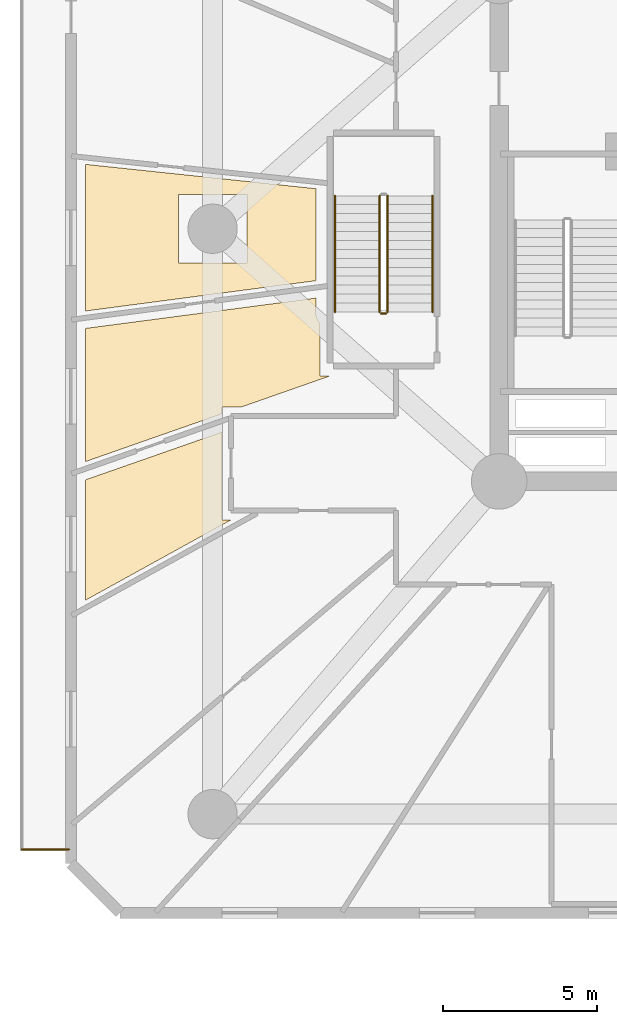
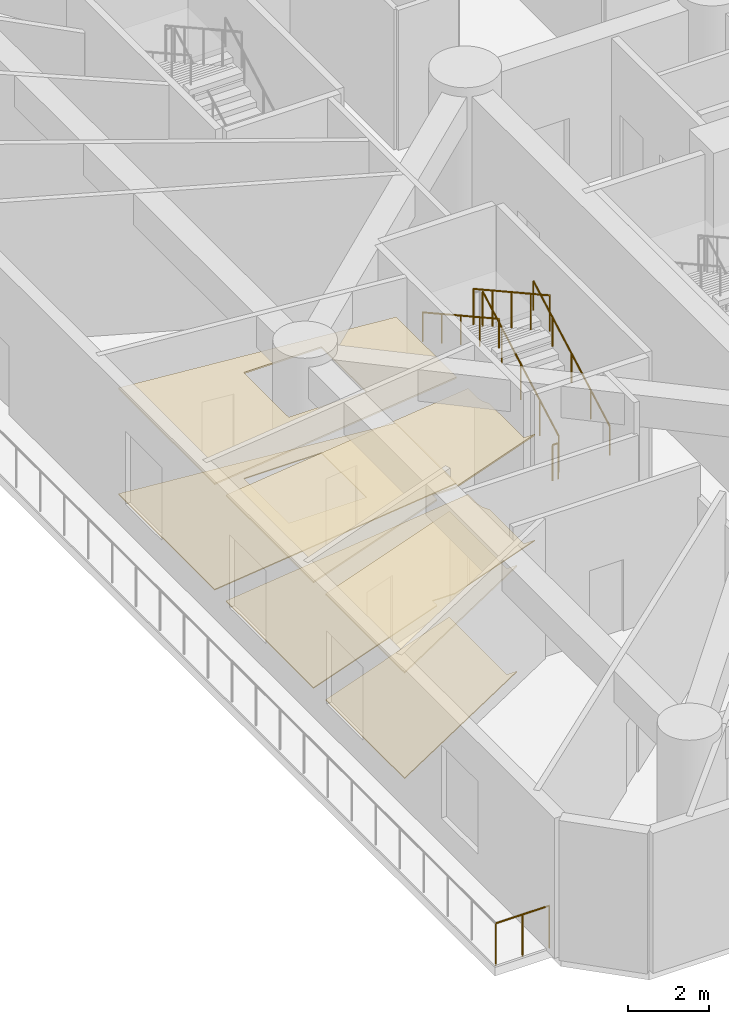
# One storey, part 19 of 24: 6 coverings, 6 railings.
"""IFC4 building model written with IfcOpenShell, lengths in metres."""

from ifc_helpers import new_model, si_unit, direction, frame, origin, origin_2d, place, context, subcontext, project, spatial, polyline, circle, outline, extrude, material, layer, layer_set, type_object, element, save


model = new_model("IFC4")

# Units and contexts
model_context = context("Model", 3, precision=1e-05, world=origin(), true_north=direction((0.0, 1.0)))
body_context = subcontext(model_context, "Body", "Model", "MODEL_VIEW")
ifc_project = project(units=[si_unit("LENGTHUNIT", "METRE"), si_unit("AREAUNIT", "SQUARE_METRE"), si_unit("VOLUMEUNIT", "CUBIC_METRE"), si_unit("PLANEANGLEUNIT", "RADIAN"), si_unit("MASSUNIT", "GRAM", prefix="KILO")], contexts=[model_context])

# Site, building, storey
site_placement = place(None, origin())
site = spatial("IfcSite", under=ifc_project, at=site_placement, CompositionType="ELEMENT")
building_placement = place(site_placement, origin())
building = spatial("IfcBuilding", under=site, at=building_placement, Name="Karkom Vertical University and Central Library", CompositionType="ELEMENT")
storey_placement = place(building_placement, frame((0.0, 0.0, 13.5)))
storey = spatial("IfcBuildingStorey", under=building, at=storey_placement, Name="L03", CompositionType="ELEMENT", Elevation=13.5)

# Railing
ifc_material_1 = material(Name="Architectural painted steel & laminated glass balustrade", Category="steel")
ifc_layer_1 = layer(ifc_material_1, 0.090087890625)
ifc_layer_set_1 = layer_set([ifc_layer_1], Name="Architectural painted steel & laminated glass balustrade")
railing_type_1 = type_object("IfcRailingType", Name="ENV-RL-BAL1300", PredefinedType="BALUSTRADE", material=ifc_layer_set_1)
railing_1_placement = place(storey_placement, frame((5.5400390625, 6.360107421875, 0.0)))
element("IfcRailing", 1, at=railing_1_placement, inside=storey, type_object=railing_type_1, Name="Level 03 Planted Terrace Safety Balustrade 03", PredefinedType="BALUSTRADE", context=body_context, shape_type="SweptSolid", body=[
    extrude(circle(Radius=0.02392578125, at=origin_2d()), frame((0.0, 0.0, 1.27587890625), z_axis=(-1.0, 0.0, 0.0), x_axis=(0.0, -1.0, 0.0)), (0.0, 0.0, 1.0), 1.530029296875),
    extrude(circle(Radius=0.02099609375, at=origin_2d()), origin(), (0.0, 0.0, 1.0), 1.251953125),
    extrude(circle(Radius=0.02099609375, at=origin_2d()), frame((-0.76513671875, 0.0, 0.0)), (0.0, 0.0, 1.0), 1.251953125),
    extrude(circle(Radius=0.02099609375, at=origin_2d()), frame((-1.530029296875, 0.0, 0.0)), (0.0, 0.0, 1.0), 1.251953125),
])

# Coverings
ifc_material_2 = material(Name="Perforated mineral-fibre & timber-slat acoustic ceiling", Category="wood")
ifc_layer_2 = layer(ifc_material_2, 0.044921875)
ifc_layer_set_2 = layer_set([ifc_layer_2], Name="Perforated mineral-fibre & timber-slat acoustic ceiling")
covering_type_1 = type_object("IfcCoveringType", Name="INT-COV-CEIL", PredefinedType="CEILING", material=ifc_layer_set_2)
covering_1_placement = place(storey_placement, frame((0.0, 0.0, 3.179931640625)))
element("IfcCovering", 2, at=covering_1_placement, inside=storey, type_object=covering_type_1, Name="Level 03 Suspended Acoustic Ceiling Level 03-PD01", PredefinedType="CEILING", context=body_context, shape_type="SweptSolid", body=[
    extrude(outline(polyline([(13.550048828125, 24.814208984375), (6.080078125, 23.830810546875), (6.080078125, 28.589111328125), (13.550048828125, 27.79931640625), (13.550048828125, 24.814208984375)]), holes=[polyline([(9.090087890625, 25.389892578125), (11.31005859375, 25.389892578125), (11.31005859375, 27.610107421875), (9.090087890625, 27.610107421875), (9.090087890625, 25.389892578125)])]), origin(), (0.0, 0.0, 1.0), 0.045166015625),
])
covering_2_placement = place(storey_placement, frame((0.0, 0.0, 3.179931640625)))
element("IfcCovering", 3, at=covering_2_placement, inside=storey, type_object=covering_type_1, Name="Level 03 Suspended Acoustic Ceiling Level 03-PD02", PredefinedType="CEILING", context=body_context, shape_type="SweptSolid", body=[
    extrude(outline(polyline([(13.67919921875, 23.438232421875), (13.679931640625, 23.437255859375), (13.679931640625, 21.720703125), (14.001708984375, 21.7197265625), (11.146728515625, 20.719970703125), (10.5, 20.719970703125), (10.5, 20.49365234375), (6.080078125, 18.94580078125), (6.080078125, 23.26611328125), (13.550048828125, 24.24951171875), (13.550048828125, 23.794677734375), (13.552490234375, 23.744140625), (13.560791015625, 23.688720703125), (13.57421875, 23.634521484375), (13.593017578125, 23.581787109375), (13.6171875, 23.53125), (13.645751953125, 23.483154296875), (13.67919921875, 23.438232421875)])), origin(), (0.0, 0.0, 1.0), 0.045166015625),
])
covering_3_placement = place(storey_placement, frame((0.0, 0.0, 3.179931640625)))
element("IfcCovering", 4, at=covering_3_placement, inside=storey, type_object=covering_type_1, Name="Level 03 Suspended Acoustic Ceiling Level 03-PD03", PredefinedType="CEILING", context=body_context, shape_type="SweptSolid", body=[
    extrude(outline(polyline([(6.080078125, 14.448486328125), (6.080078125, 18.352294921875), (10.5, 19.900146484375), (10.5, 17.050048828125), (10.794677734375, 17.050048828125), (6.080078125, 14.448486328125)])), origin(), (0.0, 0.0, 1.0), 0.045166015625),
])
ifc_material_3 = material(Name="Honed Kota limestone & terrazzo flooring", Category="masonry")
ifc_layer_3 = layer(ifc_material_3, 0.030029296875)
ifc_layer_set_3 = layer_set([ifc_layer_3], Name="Honed Kota limestone & terrazzo flooring")
covering_type_2 = type_object("IfcCoveringType", Name="INT-COV-FLOOR", PredefinedType="FLOORING", material=ifc_layer_set_3)
covering_4_placement = place(storey_placement, origin())
element("IfcCovering", 5, at=covering_4_placement, inside=storey, type_object=covering_type_2, Name="Level 03 Kota Stone Floor Finish Level 03-PD01", PredefinedType="FLOORING", context=body_context, shape_type="SweptSolid", body=[
    extrude(outline(polyline([(13.550048828125, 24.814208984375), (6.080078125, 23.830810546875), (6.080078125, 28.589111328125), (13.550048828125, 27.79931640625), (13.550048828125, 24.814208984375)]), holes=[polyline([(9.090087890625, 25.389892578125), (11.31005859375, 25.389892578125), (11.31005859375, 27.610107421875), (9.090087890625, 27.610107421875), (9.090087890625, 25.389892578125)])]), origin(), (0.0, 0.0, 1.0), 0.030029296875),
])
covering_5_placement = place(storey_placement, origin())
element("IfcCovering", 6, at=covering_5_placement, inside=storey, type_object=covering_type_2, Name="Level 03 Kota Stone Floor Finish Level 03-PD02", PredefinedType="FLOORING", context=body_context, shape_type="SweptSolid", body=[
    extrude(outline(polyline([(13.67919921875, 23.438232421875), (13.679931640625, 23.437255859375), (13.679931640625, 21.720703125), (14.001708984375, 21.7197265625), (11.146728515625, 20.719970703125), (10.5, 20.719970703125), (10.5, 20.49365234375), (6.080078125, 18.94580078125), (6.080078125, 23.26611328125), (13.550048828125, 24.24951171875), (13.550048828125, 23.794677734375), (13.552490234375, 23.744140625), (13.560791015625, 23.688720703125), (13.57421875, 23.634521484375), (13.593017578125, 23.581787109375), (13.6171875, 23.53125), (13.645751953125, 23.483154296875), (13.67919921875, 23.438232421875)])), origin(), (0.0, 0.0, 1.0), 0.030029296875),
])
covering_6_placement = place(storey_placement, origin())
element("IfcCovering", 7, at=covering_6_placement, inside=storey, type_object=covering_type_2, Name="Level 03 Kota Stone Floor Finish Level 03-PD03", PredefinedType="FLOORING", context=body_context, shape_type="SweptSolid", body=[
    extrude(outline(polyline([(6.080078125, 14.448486328125), (6.080078125, 18.352294921875), (10.5, 19.900146484375), (10.5, 17.050048828125), (10.794677734375, 17.050048828125), (6.080078125, 14.448486328125)])), origin(), (0.0, 0.0, 1.0), 0.030029296875),
])

# Railings
ifc_material_4 = material(Name="Painted galvanised steel balustrade", Category="steel")
ifc_layer_4 = layer(ifc_material_4, 0.06005859375)
ifc_layer_set_4 = layer_set([ifc_layer_4], Name="Painted galvanised steel balustrade")
railing_type_2 = type_object("IfcRailingType", Name="INT-RL-GUARD1100", PredefinedType="GUARDRAIL", material=ifc_layer_set_4)
railing_2_placement = place(storey_placement, frame((15.8798828125, 23.800048828125, 0.16064453125)))
element("IfcRailing", 8, at=railing_2_placement, inside=storey, type_object=railing_type_2, Name="Level 03 ST-3 stair guard 1", PredefinedType="GUARDRAIL", context=body_context, shape_type="SweptSolid", body=[
    extrude(circle(Radius=0.02392578125, at=origin_2d()), frame((0.0, 0.0, 1.076171875), z_axis=(0.0, 0.874659101714, 0.484738543742), x_axis=(-1.0, 0.0, 0.0)), (0.0, 0.0, 1.0), 4.310302734375),
    extrude(circle(Radius=0.02099609375, at=origin_2d()), origin(), (0.0, 0.0, 1.0), 1.052001953125),
    extrude(circle(Radius=0.02099609375, at=origin_2d()), frame((0.0, 0.9423828125, 0.5224609375)), (0.0, 0.0, 1.0), 1.052001953125),
    extrude(circle(Radius=0.02099609375, at=origin_2d()), frame((0.0, 1.885009765625, 1.044677734375)), (0.0, 0.0, 1.0), 1.052001953125),
    extrude(circle(Radius=0.02099609375, at=origin_2d()), frame((0.0, 2.82763671875, 1.56689453125)), (0.0, 0.0, 1.0), 1.052001953125),
    extrude(circle(Radius=0.02099609375, at=origin_2d()), frame((0.0, 3.77001953125, 2.08935546875)), (0.0, 0.0, 1.0), 1.052001953125),
])
railing_3_placement = place(storey_placement, frame((15.6201171875, 27.570068359375, 2.41064453125)))
element("IfcRailing", 9, at=railing_3_placement, inside=storey, type_object=railing_type_2, Name="Level 03 ST-3 stair guard 3", PredefinedType="GUARDRAIL", context=body_context, shape_type="SweptSolid", body=[
    extrude(circle(Radius=0.02392578125, at=origin_2d()), frame((0.0, 0.0, 1.076171875), z_axis=(0.0, -0.874659101714, 0.484738543742), x_axis=(1.0, 0.0, 0.0)), (0.0, 0.0, 1.0), 4.310302734375),
    extrude(circle(Radius=0.02099609375, at=origin_2d()), origin(), (0.0, 0.0, 1.0), 1.052001953125),
    extrude(circle(Radius=0.02099609375, at=origin_2d()), frame((0.0, -0.9423828125, 0.5224609375)), (0.0, 0.0, 1.0), 1.052001953125),
    extrude(circle(Radius=0.02099609375, at=origin_2d()), frame((0.0, -1.885009765625, 1.044677734375)), (0.0, 0.0, 1.0), 1.052001953125),
    extrude(circle(Radius=0.02099609375, at=origin_2d()), frame((0.0, -2.82763671875, 1.56689453125)), (0.0, 0.0, 1.0), 1.052001953125),
    extrude(circle(Radius=0.02099609375, at=origin_2d()), frame((0.0, -3.77001953125, 2.08935546875)), (0.0, 0.0, 1.0), 1.052001953125),
])
railing_4_placement = place(storey_placement, frame((15.830078125, 23.75, 0.0)))
element("IfcRailing", 10, at=railing_4_placement, inside=storey, type_object=railing_type_2, Name="Level 03 ST-3 stair guard 4", PredefinedType="GUARDRAIL", context=body_context, shape_type="SweptSolid", body=[
    extrude(circle(Radius=0.02392578125, at=origin_2d()), frame((0.0, 0.0, 1.076171875), z_axis=(-1.0, 0.0, 0.0), x_axis=(0.0, -1.0, 0.0)), (0.0, 0.0, 1.0), 0.16015625),
    extrude(circle(Radius=0.02099609375, at=origin_2d()), origin(), (0.0, 0.0, 1.0), 1.052001953125),
    extrude(circle(Radius=0.02099609375, at=origin_2d()), frame((-0.16015625, 0.0, 0.0)), (0.0, 0.0, 1.0), 1.052001953125),
])
ifc_material_5 = material(Name="Brushed stainless-steel tubular handrail", Category="steel")
ifc_layer_5 = layer(ifc_material_5, 0.048095703125)
ifc_layer_set_5 = layer_set([ifc_layer_5], Name="Brushed stainless-steel tubular handrail")
railing_type_3 = type_object("IfcRailingType", Name="INT-RL-HAND920", PredefinedType="HANDRAIL", material=ifc_layer_set_5)
railing_5_placement = place(storey_placement, frame((17.330078125, 23.800048828125, 0.16064453125)))
element("IfcRailing", 11, at=railing_5_placement, inside=storey, type_object=railing_type_3, Name="Level 03 ST-3 stair handrail 1", PredefinedType="HANDRAIL", context=body_context, shape_type="SweptSolid", body=[
    extrude(circle(Radius=0.02392578125, at=origin_2d()), frame((0.0, 0.0, 0.8759765625), z_axis=(0.0, 0.874659101714, 0.484738543742), x_axis=(-1.0, 0.0, 0.0)), (0.0, 0.0, 1.0), 4.310302734375),
    extrude(circle(Radius=0.02099609375, at=origin_2d()), origin(), (0.0, 0.0, 1.0), 0.851806640625),
    extrude(circle(Radius=0.02099609375, at=origin_2d()), frame((0.0, 0.9423828125, 0.5224609375)), (0.0, 0.0, 1.0), 0.851806640625),
    extrude(circle(Radius=0.02099609375, at=origin_2d()), frame((0.0, 1.885009765625, 1.044677734375)), (0.0, 0.0, 1.0), 0.851806640625),
    extrude(circle(Radius=0.02099609375, at=origin_2d()), frame((0.0, 2.82763671875, 1.56689453125)), (0.0, 0.0, 1.0), 0.851806640625),
    extrude(circle(Radius=0.02099609375, at=origin_2d()), frame((0.0, 3.77001953125, 2.08935546875)), (0.0, 0.0, 1.0), 0.851806640625),
])
railing_6_placement = place(storey_placement, frame((14.169921875, 27.570068359375, 2.41064453125)))
element("IfcRailing", 12, at=railing_6_placement, inside=storey, type_object=railing_type_3, Name="Level 03 ST-3 stair handrail 2", PredefinedType="HANDRAIL", context=body_context, shape_type="SweptSolid", body=[
    extrude(circle(Radius=0.02392578125, at=origin_2d()), frame((0.0, 0.0, 0.8759765625), z_axis=(0.0, -0.874659101714, 0.484738543742), x_axis=(1.0, 0.0, 0.0)), (0.0, 0.0, 1.0), 4.310302734375),
    extrude(circle(Radius=0.02099609375, at=origin_2d()), origin(), (0.0, 0.0, 1.0), 0.851806640625),
    extrude(circle(Radius=0.02099609375, at=origin_2d()), frame((0.0, -0.9423828125, 0.5224609375)), (0.0, 0.0, 1.0), 0.851806640625),
    extrude(circle(Radius=0.02099609375, at=origin_2d()), frame((0.0, -1.885009765625, 1.044677734375)), (0.0, 0.0, 1.0), 0.851806640625),
    extrude(circle(Radius=0.02099609375, at=origin_2d()), frame((0.0, -2.82763671875, 1.56689453125)), (0.0, 0.0, 1.0), 0.851806640625),
    extrude(circle(Radius=0.02099609375, at=origin_2d()), frame((0.0, -3.77001953125, 2.08935546875)), (0.0, 0.0, 1.0), 0.851806640625),
])

save(model, "model.ifc")
